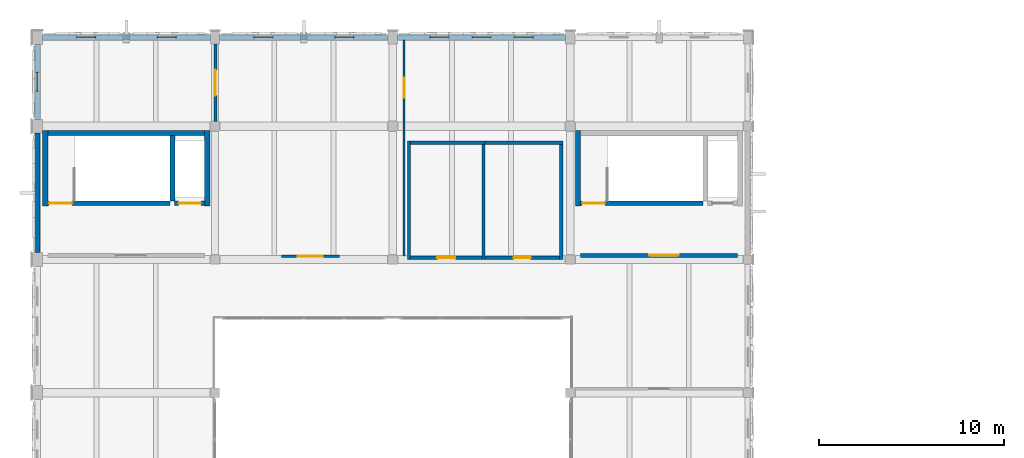
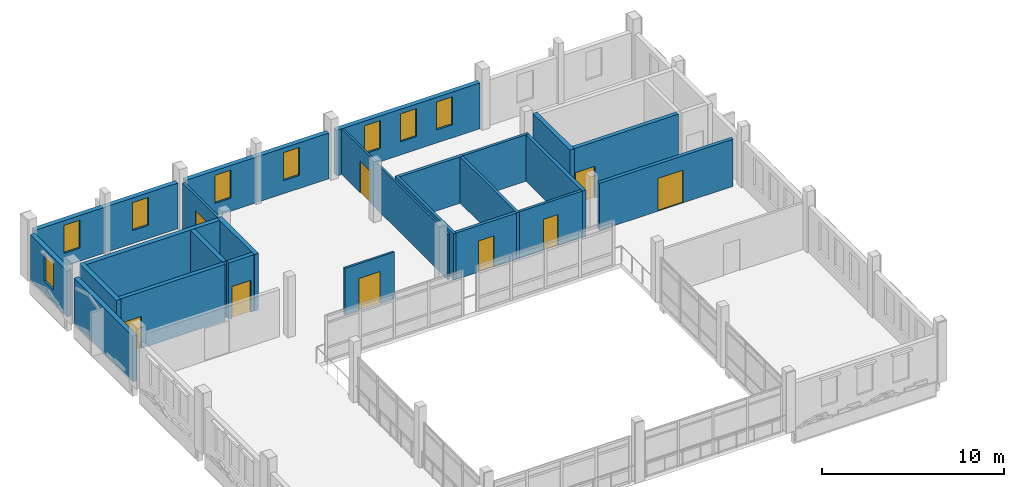
# One storey, part 17 of 24: 24 walls, 9 doors, 8 windows, 17 openings.
"""IFC4 building model written with IfcOpenShell, lengths in metres."""

from ifc_helpers import new_model, si_unit, direction, frame, frame_2d, origin, place, context, subcontext, project, spatial, rectangle, extrude, material, layer, layer_set, type_object, element, fill, save


model = new_model("IFC4")

# Units and contexts
model_context = context("Model", 3, precision=1e-05, world=origin(), true_north=direction((0.0, 1.0)))
body_context = subcontext(model_context, "Body", "Model", "MODEL_VIEW")
ifc_project = project(units=[si_unit("LENGTHUNIT", "METRE"), si_unit("AREAUNIT", "SQUARE_METRE"), si_unit("VOLUMEUNIT", "CUBIC_METRE"), si_unit("PLANEANGLEUNIT", "RADIAN"), si_unit("MASSUNIT", "GRAM", prefix="KILO")], contexts=[model_context])

# Site, building, storey
site_placement = place(None, origin())
site = spatial("IfcSite", under=ifc_project, at=site_placement, CompositionType="ELEMENT")
building_placement = place(site_placement, origin())
building = spatial("IfcBuilding", under=site, at=building_placement, Name="Asteropetra Specialist Clinic", CompositionType="ELEMENT")
storey_placement = place(building_placement, frame((0.0, 0.0, 20.739990234375)))
storey = spatial("IfcBuildingStorey", under=building, at=storey_placement, Name="L05", CompositionType="ELEMENT", Elevation=20.739990234375)

# Wall, openings, windows
ifc_material_1 = material(Name="Chevron ivory", Category="masonry")
ifc_layer_1 = layer(ifc_material_1, 0.2900390625)
ifc_layer_set_1 = layer_set([ifc_layer_1], Name="Chevron ivory")
wall_type_1 = type_object("IfcWallType", Name="EW-CHEV-TER-290", PredefinedType="SOLIDWALL", material=ifc_layer_set_1)
wall_1_placement = place(storey_placement, frame((9.35009765625, 110.39990234375, 0.0), z_axis=(0.0, 0.0, 1.0), x_axis=(-1.0, 0.0, 0.0)))
wall_1 = element("IfcWall", 1, at=wall_1_placement, inside=storey, type_object=wall_type_1, Name="Exterior Wall EW-0144", PredefinedType="SOLIDWALL", context=body_context, shape_type="SweptSolid", body=[
    extrude(rectangle(XDim=9.0751953125, YDim=0.2900390625, at=frame_2d((4.53759765625, 0.0))), origin(), (0.0, 0.0, 1.0), 3.070068359375),
])
opening_1_placement = place(wall_1_placement, frame((1.849609375, 0.0, 0.8798828125)))
opening_1 = element("IfcOpeningElement", 2, at=opening_1_placement, cuts=wall_1, Name="Opening W-0090", PredefinedType="OPENING", context=body_context, shape_type="SweptSolid", body=[
    extrude(rectangle(XDim=1.02001953125, YDim=1.8798828125, at=frame_2d((0.510009765625, 0.93994140625))), frame((0.0, 0.155029296875, 0.0), z_axis=(0.0, -1.0, 0.0), x_axis=(1.0, 0.0, 0.0)), (0.0, 0.0, 1.0), 0.31005859375),
])
opening_2_placement = place(wall_1_placement, frame((6.20556640625, 0.0, 0.8798828125)))
opening_2 = element("IfcOpeningElement", 3, at=opening_2_placement, cuts=wall_1, Name="Opening W-0091", PredefinedType="OPENING", context=body_context, shape_type="SweptSolid", body=[
    extrude(rectangle(XDim=1.02001953125, YDim=1.8798828125, at=frame_2d((0.510009765625, 0.93994140625))), frame((0.0, 0.155029296875, 0.0), z_axis=(0.0, -1.0, 0.0), x_axis=(1.0, 0.0, 0.0)), (0.0, 0.0, 1.0), 0.31005859375),
])
ifc_material_2 = material(Name="Thermally broken bronze aluminium and low-E glass", Category="aluminium")
window_type = type_object("IfcWindowType", Name="WIN-T31", PartitioningType="SINGLE_PANEL", PredefinedType="WINDOW", material=ifc_material_2)
window_1_placement = place(opening_1_placement, origin())
window_1 = element("IfcWindow", 4, at=window_1_placement, inside=storey, type_object=window_type, Name="Window W-0090", OverallHeight=1.8798828125, OverallWidth=1.02001953125, PartitioningType="SINGLE_PANEL", PredefinedType="WINDOW", context=body_context, shape_type="SweptSolid", body=[
    extrude(rectangle(XDim=1.02001953125, YDim=1.8798828125, at=frame_2d((0.510009765625, 0.93994140625))), frame((0.0, 0.030029296875, 0.0), z_axis=(0.0, -1.0, 0.0), x_axis=(1.0, 0.0, 0.0)), (0.0, 0.0, 1.0), 0.06005859375),
])
fill(opening_1, window_1)
window_2_placement = place(opening_2_placement, origin())
window_2 = element("IfcWindow", 5, at=window_2_placement, inside=storey, type_object=window_type, Name="Window W-0091", OverallHeight=1.8798828125, OverallWidth=1.02001953125, PartitioningType="SINGLE_PANEL", PredefinedType="WINDOW", context=body_context, shape_type="SweptSolid", body=[
    extrude(rectangle(XDim=1.02001953125, YDim=1.8798828125, at=frame_2d((0.510009765625, 0.93994140625))), frame((0.0, 0.030029296875, 0.0), z_axis=(0.0, -1.0, 0.0), x_axis=(1.0, 0.0, 0.0)), (0.0, 0.0, 1.0), 0.06005859375),
])
fill(opening_2, window_2)

wall_2_placement = place(storey_placement, frame((18.949951171875, 110.39990234375, 0.0), z_axis=(0.0, 0.0, 1.0), x_axis=(-1.0, 0.0, 0.0)))
wall_2 = element("IfcWall", 6, at=wall_2_placement, inside=storey, type_object=wall_type_1, Name="Exterior Wall EW-0145", PredefinedType="SOLIDWALL", context=body_context, shape_type="SweptSolid", body=[
    extrude(rectangle(XDim=9.099853515625, YDim=0.2900390625, at=frame_2d((4.5498046875, 0.0))), origin(), (0.0, 0.0, 1.0), 3.070068359375),
])
opening_3_placement = place(wall_2_placement, frame((1.85595703125, 0.0, 0.8798828125)))
opening_3 = element("IfcOpeningElement", 7, at=opening_3_placement, cuts=wall_2, Name="Opening W-0092", PredefinedType="OPENING", context=body_context, shape_type="SweptSolid", body=[
    extrude(rectangle(XDim=1.02001953125, YDim=1.8798828125, at=frame_2d((0.510009765625, 0.93994140625))), frame((0.0, 0.155029296875, 0.0), z_axis=(0.0, -1.0, 0.0), x_axis=(1.0, 0.0, 0.0)), (0.0, 0.0, 1.0), 0.31005859375),
])
opening_4_placement = place(wall_2_placement, frame((6.22412109375, 0.0, 0.8798828125)))
opening_4 = element("IfcOpeningElement", 8, at=opening_4_placement, cuts=wall_2, Name="Opening W-0093", PredefinedType="OPENING", context=body_context, shape_type="SweptSolid", body=[
    extrude(rectangle(XDim=1.02001953125, YDim=1.8798828125, at=frame_2d((0.510009765625, 0.93994140625))), frame((0.0, 0.155029296875, 0.0), z_axis=(0.0, -1.0, 0.0), x_axis=(1.0, 0.0, 0.0)), (0.0, 0.0, 1.0), 0.31005859375),
])
window_3_placement = place(opening_3_placement, origin())
window_3 = element("IfcWindow", 9, at=window_3_placement, inside=storey, type_object=window_type, Name="Window W-0092", OverallHeight=1.8798828125, OverallWidth=1.02001953125, PartitioningType="SINGLE_PANEL", PredefinedType="WINDOW", context=body_context, shape_type="SweptSolid", body=[
    extrude(rectangle(XDim=1.02001953125, YDim=1.8798828125, at=frame_2d((0.510009765625, 0.93994140625))), frame((0.0, 0.030029296875, 0.0), z_axis=(0.0, -1.0, 0.0), x_axis=(1.0, 0.0, 0.0)), (0.0, 0.0, 1.0), 0.06005859375),
])
fill(opening_3, window_3)
window_4_placement = place(opening_4_placement, origin())
window_4 = element("IfcWindow", 10, at=window_4_placement, inside=storey, type_object=window_type, Name="Window W-0093", OverallHeight=1.8798828125, OverallWidth=1.02001953125, PartitioningType="SINGLE_PANEL", PredefinedType="WINDOW", context=body_context, shape_type="SweptSolid", body=[
    extrude(rectangle(XDim=1.02001953125, YDim=1.8798828125, at=frame_2d((0.510009765625, 0.93994140625))), frame((0.0, 0.030029296875, 0.0), z_axis=(0.0, -1.0, 0.0), x_axis=(1.0, 0.0, 0.0)), (0.0, 0.0, 1.0), 0.06005859375),
])
fill(opening_4, window_4)

wall_3_placement = place(storey_placement, frame((28.550048828125, 110.39990234375, 0.0), z_axis=(0.0, 0.0, 1.0), x_axis=(-1.0, 0.0, 0.0)))
wall_3 = element("IfcWall", 11, at=wall_3_placement, inside=storey, type_object=wall_type_1, Name="Exterior Wall EW-0146", PredefinedType="SOLIDWALL", context=body_context, shape_type="SweptSolid", body=[
    extrude(rectangle(XDim=9.10009765625, YDim=0.2900390625, at=frame_2d((4.550048828125, 0.0))), origin(), (0.0, 0.0, 1.0), 3.070068359375),
])
opening_5_placement = place(wall_3_placement, frame((1.764892578125, 0.0, 0.8798828125)))
opening_5 = element("IfcOpeningElement", 12, at=opening_5_placement, cuts=wall_3, Name="Opening W-0094", PredefinedType="OPENING", context=body_context, shape_type="SweptSolid", body=[
    extrude(rectangle(XDim=1.02001953125, YDim=1.8798828125, at=frame_2d((0.510009765625, 0.93994140625))), frame((0.0, 0.155029296875, 0.0), z_axis=(0.0, -1.0, 0.0), x_axis=(1.0, 0.0, 0.0)), (0.0, 0.0, 1.0), 0.31005859375),
])
opening_6_placement = place(wall_3_placement, frame((4.0400390625, 0.0, 0.8798828125)))
opening_6 = element("IfcOpeningElement", 13, at=opening_6_placement, cuts=wall_3, Name="Opening W-0095", PredefinedType="OPENING", context=body_context, shape_type="SweptSolid", body=[
    extrude(rectangle(XDim=1.02001953125, YDim=1.8798828125, at=frame_2d((0.510009765625, 0.93994140625))), frame((0.0, 0.155029296875, 0.0), z_axis=(0.0, -1.0, 0.0), x_axis=(1.0, 0.0, 0.0)), (0.0, 0.0, 1.0), 0.31005859375),
])
opening_7_placement = place(wall_3_placement, frame((6.31494140625, 0.0, 0.8798828125)))
opening_7 = element("IfcOpeningElement", 14, at=opening_7_placement, cuts=wall_3, Name="Opening W-0096", PredefinedType="OPENING", context=body_context, shape_type="SweptSolid", body=[
    extrude(rectangle(XDim=1.02001953125, YDim=1.8798828125, at=frame_2d((0.510009765625, 0.93994140625))), frame((0.0, 0.155029296875, 0.0), z_axis=(0.0, -1.0, 0.0), x_axis=(1.0, 0.0, 0.0)), (0.0, 0.0, 1.0), 0.31005859375),
])
window_5_placement = place(opening_5_placement, origin())
window_5 = element("IfcWindow", 15, at=window_5_placement, inside=storey, type_object=window_type, Name="Window W-0094", OverallHeight=1.8798828125, OverallWidth=1.02001953125, PartitioningType="SINGLE_PANEL", PredefinedType="WINDOW", context=body_context, shape_type="SweptSolid", body=[
    extrude(rectangle(XDim=1.02001953125, YDim=1.8798828125, at=frame_2d((0.510009765625, 0.93994140625))), frame((0.0, 0.030029296875, 0.0), z_axis=(0.0, -1.0, 0.0), x_axis=(1.0, 0.0, 0.0)), (0.0, 0.0, 1.0), 0.06005859375),
])
fill(opening_5, window_5)
window_6_placement = place(opening_6_placement, origin())
window_6 = element("IfcWindow", 16, at=window_6_placement, inside=storey, type_object=window_type, Name="Window W-0095", OverallHeight=1.8798828125, OverallWidth=1.02001953125, PartitioningType="SINGLE_PANEL", PredefinedType="WINDOW", context=body_context, shape_type="SweptSolid", body=[
    extrude(rectangle(XDim=1.02001953125, YDim=1.8798828125, at=frame_2d((0.510009765625, 0.93994140625))), frame((0.0, 0.030029296875, 0.0), z_axis=(0.0, -1.0, 0.0), x_axis=(1.0, 0.0, 0.0)), (0.0, 0.0, 1.0), 0.06005859375),
])
fill(opening_6, window_6)
window_7_placement = place(opening_7_placement, origin())
window_7 = element("IfcWindow", 17, at=window_7_placement, inside=storey, type_object=window_type, Name="Window W-0096", OverallHeight=1.8798828125, OverallWidth=1.02001953125, PartitioningType="SINGLE_PANEL", PredefinedType="WINDOW", context=body_context, shape_type="SweptSolid", body=[
    extrude(rectangle(XDim=1.02001953125, YDim=1.8798828125, at=frame_2d((0.510009765625, 0.93994140625))), frame((0.0, 0.030029296875, 0.0), z_axis=(0.0, -1.0, 0.0), x_axis=(1.0, 0.0, 0.0)), (0.0, 0.0, 1.0), 0.06005859375),
])
fill(opening_7, window_7)

# Wall
wall_4_placement = place(storey_placement, frame((0.0, 105.22509765625, 0.0), z_axis=(0.0, 0.0, 1.0), x_axis=(0.0, -1.0, 0.0)))
element("IfcWall", 18, at=wall_4_placement, inside=storey, type_object=wall_type_1, Name="Exterior Wall EW-0155", PredefinedType="SOLIDWALL", context=body_context, shape_type="SweptSolid", body=[
    extrude(rectangle(XDim=6.4501953125, YDim=0.2900390625, at=frame_2d((3.22509765625, 0.0))), origin(), (0.0, 0.0, 1.0), 3.070068359375),
])

# Wall, opening, window
wall_5_placement = place(storey_placement, frame((0.0, 110.02490234375, 0.0), z_axis=(0.0, 0.0, 1.0), x_axis=(0.0, -1.0, 0.0)))
wall_5 = element("IfcWall", 19, at=wall_5_placement, inside=storey, type_object=wall_type_1, Name="Exterior Wall EW-0157", PredefinedType="SOLIDWALL", context=body_context, shape_type="SweptSolid", body=[
    extrude(rectangle(XDim=4.0498046875, YDim=0.2900390625, at=frame_2d((2.02490234375, 0.0))), origin(), (0.0, 0.0, 1.0), 3.070068359375),
])
opening_8_placement = place(wall_5_placement, frame((1.514892578125, 0.0, 0.8798828125)))
opening_8 = element("IfcOpeningElement", 20, at=opening_8_placement, cuts=wall_5, Name="Opening W-0120", PredefinedType="OPENING", context=body_context, shape_type="SweptSolid", body=[
    extrude(rectangle(XDim=1.02001953125, YDim=1.8798828125, at=frame_2d((0.510009765625, 0.93994140625))), frame((0.0, 0.155029296875, 0.0), z_axis=(0.0, -1.0, 0.0), x_axis=(1.0, 0.0, 0.0)), (0.0, 0.0, 1.0), 0.31005859375),
])
window_8_placement = place(opening_8_placement, origin())
window_8 = element("IfcWindow", 21, at=window_8_placement, inside=storey, type_object=window_type, Name="Window W-0120", OverallHeight=1.8798828125, OverallWidth=1.02001953125, PartitioningType="SINGLE_PANEL", PredefinedType="WINDOW", context=body_context, shape_type="SweptSolid", body=[
    extrude(rectangle(XDim=1.02001953125, YDim=1.8798828125, at=frame_2d((0.510009765625, 0.93994140625))), frame((0.0, 0.030029296875, 0.0), z_axis=(0.0, -1.0, 0.0), x_axis=(1.0, 0.0, 0.0)), (0.0, 0.0, 1.0), 0.06005859375),
])
fill(opening_8, window_8)

# Wall, opening, door
ifc_material_3 = material(Name="Fire-rated masonry and gypsum", Category="masonry")
ifc_layer_2 = layer(ifc_material_3, 0.219970703125)
ifc_layer_set_2 = layer_set([ifc_layer_2], Name="Fire-rated masonry and gypsum")
wall_type_2 = type_object("IfcWallType", Name="W-COMP-220", PredefinedType="PARTITIONING", material=ifc_layer_set_2)
wall_6_placement = place(storey_placement, frame((29.360107421875, 98.6201171875, 0.0), z_axis=(0.0, 0.0, 1.0), x_axis=(1.0, 0.0, 0.0)))
wall_6 = element("IfcWall", 22, at=wall_6_placement, inside=storey, type_object=wall_type_2, Name="Core Wall CW-C2-L05-LOB", PredefinedType="PARTITIONING", context=body_context, shape_type="SweptSolid", body=[
    extrude(rectangle(XDim=8.47998046875, YDim=0.219970703125, at=frame_2d((4.239990234375, 0.0))), origin(), (0.0, 0.0, 1.0), 3.169921875),
])
opening_9_placement = place(wall_6_placement, frame((3.699951171875, 0.0, 0.0)))
opening_9 = element("IfcOpeningElement", 23, at=opening_9_placement, cuts=wall_6, Name="Opening FD-024", PredefinedType="OPENING", context=body_context, shape_type="SweptSolid", body=[
    extrude(rectangle(XDim=1.60009765625, YDim=2.199951171875, at=frame_2d((0.800048828125, 1.10009765625))), frame((0.0, 0.119873046875, 0.0), z_axis=(0.0, -1.0, 0.0), x_axis=(1.0, 0.0, 0.0)), (0.0, 0.0, 1.0), 0.239990234375),
])
ifc_material_4 = material(Name="Fire-rated steel and vision glass door", Category="steel")
door_type_1 = type_object("IfcDoorType", Name="FD-LOBBY-1600", OperationType="DOUBLE_DOOR_SINGLE_SWING", PredefinedType="DOOR", material=ifc_material_4)
door_1_placement = place(opening_9_placement, origin())
door_1 = element("IfcDoor", 24, at=door_1_placement, inside=storey, type_object=door_type_1, Name="Lobby Fire Door FD-024", OperationType="DOUBLE_DOOR_SINGLE_SWING", OverallHeight=2.199951171875, OverallWidth=1.60009765625, PredefinedType="DOOR", context=body_context, shape_type="SweptSolid", body=[
    extrude(rectangle(XDim=1.60009765625, YDim=2.199951171875, at=frame_2d((0.800048828125, 1.10009765625))), frame((0.0, 0.02490234375, 0.0), z_axis=(0.0, -1.0, 0.0), x_axis=(1.0, 0.0, 0.0)), (0.0, 0.0, 1.0), 0.050048828125),
])
fill(opening_9, door_1)

# Walls
ifc_material_5 = material(Name="Concrete C35/45", Category="concrete")
ifc_layer_3 = layer(ifc_material_5, 0.280029296875)
ifc_layer_set_3 = layer_set([ifc_layer_3], Name="Concrete C35/45")
wall_type_3 = type_object("IfcWallType", Name="W-CORE-280", PredefinedType="SHEAR", material=ifc_layer_set_3)
for number, where, z_axis, x_axis, name in (
    (25, (0.419921875, 101.300048828125, 0.0), (0.0, 0.0, 1.0), (0.0, 1.0, 0.0), "Core Wall CW-C1-L05-W"),
    (26, (9.179931640625, 101.300048828125, 0.0), (0.0, 0.0, 1.0), (0.0, 1.0, 0.0), "Core Wall CW-C1-L05-E"),
):
    element("IfcWall", number, at=place(storey_placement, frame(where, z_axis=z_axis, x_axis=x_axis)), inside=storey, type_object=wall_type_3, Name=name, PredefinedType="SHEAR", context=body_context, shape_type="SweptSolid", body=[
        extrude(rectangle(XDim=4.079833984375, YDim=0.280029296875, at=frame_2d((2.0400390625, 0.0))), origin(), (0.0, 0.0, 1.0), 3.800048828125),
    ])
wall_7_placement = place(storey_placement, frame((0.554931640625, 105.239990234375, 0.0), z_axis=(0.0, 0.0, 1.0), x_axis=(1.0, 0.0, 0.0)))
element("IfcWall", 27, at=wall_7_placement, inside=storey, type_object=wall_type_3, Name="Core Wall CW-C1-L05-BACK", PredefinedType="SHEAR", context=body_context, shape_type="SweptSolid", body=[
    extrude(rectangle(XDim=8.489990234375, YDim=0.280029296875, at=frame_2d((4.2451171875, 0.0))), origin(), (0.0, 0.0, 1.0), 3.800048828125),
])
wall_8_placement = place(storey_placement, frame((29.219970703125, 101.300048828125, 0.0), z_axis=(0.0, 0.0, 1.0), x_axis=(0.0, 1.0, 0.0)))
element("IfcWall", 28, at=wall_8_placement, inside=storey, type_object=wall_type_3, Name="Core Wall CW-C2-L05-W", PredefinedType="SHEAR", context=body_context, shape_type="SweptSolid", body=[
    extrude(rectangle(XDim=4.079833984375, YDim=0.280029296875, at=frame_2d((2.0400390625, 0.0))), origin(), (0.0, 0.0, 1.0), 3.800048828125),
])

# Wall, opening, door
ifc_material_6 = material(Name="Light partition", Category="masonry")
ifc_layer_4 = layer(ifc_material_6, 0.1201171875)
ifc_layer_set_4 = layer_set([ifc_layer_4], Name="Light partition")
wall_type_4 = type_object("IfcWallType", Name="W-PART-120", PredefinedType="PARTITIONING", material=ifc_layer_set_4)
wall_9_placement = place(storey_placement, frame((19.820068359375, 98.592041015625, 0.0), z_axis=(0.0, 0.0, 1.0), x_axis=(0.0, 1.0, 0.0)))
wall_9 = element("IfcWall", 29, at=wall_9_placement, inside=storey, type_object=wall_type_4, Name="Interior Partition PW-0184", PredefinedType="PARTITIONING", context=body_context, shape_type="SweptSolid", body=[
    extrude(rectangle(XDim=11.660888671875, YDim=0.1201171875, at=frame_2d((5.83056640625, 0.0))), origin(), (0.0, 0.0, 1.0), 3.070068359375),
])
opening_10_placement = place(wall_9_placement, frame((8.5556640625, 0.0, 0.0)))
opening_10 = element("IfcOpeningElement", 30, at=opening_10_placement, cuts=wall_9, Name="Opening ID-0119", PredefinedType="OPENING", context=body_context, shape_type="SweptSolid", body=[
    extrude(rectangle(XDim=1.080078125, YDim=2.10009765625, at=frame_2d((0.5400390625, 1.050048828125))), frame((0.0, 0.070068359375, 0.0), z_axis=(0.0, -1.0, 0.0), x_axis=(1.0, 0.0, 0.0)), (0.0, 0.0, 1.0), 0.14013671875),
])
ifc_material_7 = material(Name="Antimicrobial laminate timber leaf in steel frame", Category="steel")
door_type_2 = type_object("IfcDoorType", Name="ID-EXAM-1080", OperationType="SINGLE_SWING_LEFT", PredefinedType="DOOR", material=ifc_material_7)
door_2_placement = place(opening_10_placement, origin())
door_2 = element("IfcDoor", 31, at=door_2_placement, inside=storey, type_object=door_type_2, Name="Interior Door ID-0119", OperationType="SINGLE_SWING_LEFT", OverallHeight=2.10009765625, OverallWidth=1.080078125, PredefinedType="DOOR", context=body_context, shape_type="SweptSolid", body=[
    extrude(rectangle(XDim=1.080078125, YDim=2.10009765625, at=frame_2d((0.5400390625, 1.050048828125))), frame((0.0, 0.02490234375, 0.0), z_axis=(0.0, -1.0, 0.0), x_axis=(1.0, 0.0, 0.0)), (0.0, 0.0, 1.0), 0.050048828125),
])
fill(opening_10, door_2)

ifc_material_8 = material(Name="Office and seminar partition", Category="masonry")
ifc_layer_5 = layer(ifc_material_8, 0.1298828125)
ifc_layer_set_5 = layer_set([ifc_layer_5], Name="Office and seminar partition")
wall_type_5 = type_object("IfcWallType", Name="W-PART-130", PredefinedType="PARTITIONING", material=ifc_layer_set_5)
wall_10_placement = place(storey_placement, frame((13.179931640625, 98.580078125, 0.0), z_axis=(0.0, 0.0, 1.0), x_axis=(1.0, 0.0, 0.0)))
wall_10 = element("IfcWall", 32, at=wall_10_placement, inside=storey, type_object=wall_type_5, Name="Interior Partition PW-0183", PredefinedType="PARTITIONING", context=body_context, shape_type="SweptSolid", body=[
    extrude(rectangle(XDim=3.14013671875, YDim=0.1298828125, at=frame_2d((1.570068359375, 0.0))), origin(), (0.0, 0.0, 1.0), 3.1201171875),
])
opening_11_placement = place(wall_10_placement, frame((0.89501953125, 0.0, 0.0)))
opening_11 = element("IfcOpeningElement", 33, at=opening_11_placement, cuts=wall_10, Name="Opening ID-0118", PredefinedType="OPENING", context=body_context, shape_type="SweptSolid", body=[
    extrude(rectangle(XDim=1.35009765625, YDim=2.1201171875, at=frame_2d((0.675048828125, 1.06005859375))), frame((0.0, 0.074951171875, 0.0), z_axis=(0.0, -1.0, 0.0), x_axis=(1.0, 0.0, 0.0)), (0.0, 0.0, 1.0), 0.14990234375),
])
ifc_material_9 = material(Name="Antimicrobial laminate timber leaf in steel frame", Category="steel")
door_type_3 = type_object("IfcDoorType", Name="ID-LAB-1350", OperationType="NOTDEFINED", PredefinedType="DOOR", material=ifc_material_9)
door_3_placement = place(opening_11_placement, origin())
door_3 = element("IfcDoor", 34, at=door_3_placement, inside=storey, type_object=door_type_3, Name="Interior Door ID-0118", OperationType="SINGLE_SWING_RIGHT", OverallHeight=2.1201171875, OverallWidth=1.35009765625, PredefinedType="DOOR", context=body_context, shape_type="SweptSolid", body=[
    extrude(rectangle(XDim=1.35009765625, YDim=2.1201171875, at=frame_2d((0.675048828125, 1.06005859375))), frame((0.0, 0.02490234375, 0.0), z_axis=(0.0, -1.0, 0.0), x_axis=(1.0, 0.0, 0.0)), (0.0, 0.0, 1.0), 0.050048828125),
])
fill(opening_11, door_3)

ifc_material_10 = material(Name="Acoustic clinical stud partition", Category="masonry")
ifc_layer_6 = layer(ifc_material_10, 0.159912109375)
ifc_layer_set_6 = layer_set([ifc_layer_6], Name="Acoustic clinical stud partition")
wall_type_6 = type_object("IfcWallType", Name="W-PART-160", PredefinedType="PARTITIONING", material=ifc_layer_set_6)
wall_11_placement = place(storey_placement, frame((9.6201171875, 105.85498046875, 0.0), z_axis=(0.0, 0.0, 1.0), x_axis=(0.0, 1.0, 0.0)))
wall_11 = element("IfcWall", 35, at=wall_11_placement, inside=storey, type_object=wall_type_6, Name="Interior Partition PW-0185", PredefinedType="PARTITIONING", context=body_context, shape_type="SweptSolid", body=[
    extrude(rectangle(XDim=4.18994140625, YDim=0.159912109375, at=frame_2d((2.094970703125, 0.0))), origin(), (0.0, 0.0, 1.0), 3.1201171875),
])
opening_12_placement = place(wall_11_placement, frame((1.39501953125, 0.0, 0.0)))
opening_12 = element("IfcOpeningElement", 36, at=opening_12_placement, cuts=wall_11, Name="Opening ID-0120", PredefinedType="OPENING", context=body_context, shape_type="SweptSolid", body=[
    extrude(rectangle(XDim=1.39990234375, YDim=2.1201171875, at=frame_2d((0.699951171875, 1.06005859375))), frame((0.0, 0.08984375, 0.0), z_axis=(0.0, -1.0, 0.0), x_axis=(1.0, 0.0, 0.0)), (0.0, 0.0, 1.0), 0.179931640625),
])
ifc_material_11 = material(Name="Antimicrobial laminate timber leaf in steel frame", Category="steel")
door_type_4 = type_object("IfcDoorType", Name="ID-WARD-1400", OperationType="NOTDEFINED", PredefinedType="DOOR", material=ifc_material_11)
door_4_placement = place(opening_12_placement, origin())
door_4 = element("IfcDoor", 37, at=door_4_placement, inside=storey, type_object=door_type_4, Name="Interior Door ID-0120", OperationType="SINGLE_SWING_RIGHT", OverallHeight=2.1201171875, OverallWidth=1.39990234375, PredefinedType="DOOR", context=body_context, shape_type="SweptSolid", body=[
    extrude(rectangle(XDim=1.39990234375, YDim=2.1201171875, at=frame_2d((0.699951171875, 1.06005859375))), frame((0.0, 0.02490234375, 0.0), z_axis=(0.0, -1.0, 0.0), x_axis=(1.0, 0.0, 0.0)), (0.0, 0.0, 1.0), 0.050048828125),
])
fill(opening_12, door_4)

# Walls
ifc_material_12 = material(Name="En-suite plumbing wall", Category="masonry")
ifc_layer_7 = layer(ifc_material_12, 0.169921875)
ifc_layer_set_7 = layer_set([ifc_layer_7], Name="En-suite plumbing wall")
wall_type_7 = type_object("IfcWallType", Name="W-PLUMB-170", PredefinedType="PLUMBINGWALL", material=ifc_layer_set_7)
for number, where, z_axis, x_axis, name in (
    (38, (20.090087890625, 98.39501953125, 0.0), (0.0, 0.0, 1.0), (0.0, 1.0, 0.0), "Interior Partition PW-0175"),
    (39, (24.110107421875, 98.39501953125, 0.0), (0.0, 0.0, 1.0), (0.0, 1.0, 0.0), "Interior Partition PW-0177"),
):
    element("IfcWall", number, at=place(storey_placement, frame(where, z_axis=z_axis, x_axis=x_axis)), inside=storey, type_object=wall_type_7, Name=name, PredefinedType="PLUMBINGWALL", context=body_context, shape_type="SweptSolid", body=[
        extrude(rectangle(XDim=6.409912109375, YDim=0.169921875, at=frame_2d((3.205078125, 0.0))), origin(), (0.0, 0.0, 1.0), 3.1201171875),
    ])
wall_12_placement = place(storey_placement, frame((24.197021484375, 104.7099609375, 0.0), z_axis=(0.0, 0.0, 1.0), x_axis=(1.0, 0.0, 0.0)))
element("IfcWall", 40, at=wall_12_placement, inside=storey, type_object=wall_type_7, Name="Interior Partition PW-0179", PredefinedType="PLUMBINGWALL", context=body_context, shape_type="SweptSolid", body=[
    extrude(rectangle(XDim=4.2080078125, YDim=0.169921875, at=frame_2d((2.10400390625, 0.0))), origin(), (0.0, 0.0, 1.0), 3.1201171875),
])

# Wall, opening, door
wall_13_placement = place(storey_placement, frame((24.197021484375, 98.489990234375, 0.0), z_axis=(0.0, 0.0, 1.0), x_axis=(1.0, 0.0, 0.0)))
wall_13 = element("IfcWall", 41, at=wall_13_placement, inside=storey, type_object=wall_type_7, Name="Interior Partition PW-0181", PredefinedType="PLUMBINGWALL", context=body_context, shape_type="SweptSolid", body=[
    extrude(rectangle(XDim=4.010986328125, YDim=0.169921875, at=frame_2d((2.00537109375, 0.0))), origin(), (0.0, 0.0, 1.0), 3.1201171875),
])
opening_13_placement = place(wall_13_placement, frame((1.54541015625, 0.0, 0.0)))
opening_13 = element("IfcOpeningElement", 42, at=opening_13_placement, cuts=wall_13, Name="Opening ID-0116", PredefinedType="OPENING", context=body_context, shape_type="SweptSolid", body=[
    extrude(rectangle(XDim=0.919921875, YDim=2.080078125, at=frame_2d((0.4599609375, 1.0400390625))), frame((0.0, 0.094970703125, 0.0), z_axis=(0.0, -1.0, 0.0), x_axis=(1.0, 0.0, 0.0)), (0.0, 0.0, 1.0), 0.18994140625),
])
ifc_material_13 = material(Name="Antimicrobial laminate timber leaf in steel frame", Category="steel")
door_type_5 = type_object("IfcDoorType", Name="ID-WC-0920", OperationType="NOTDEFINED", PredefinedType="DOOR", material=ifc_material_13)
door_5_placement = place(opening_13_placement, origin())
door_5 = element("IfcDoor", 43, at=door_5_placement, inside=storey, type_object=door_type_5, Name="Interior Door ID-0116", OperationType="SINGLE_SWING_LEFT", OverallHeight=2.080078125, OverallWidth=0.919921875, PredefinedType="DOOR", context=body_context, shape_type="SweptSolid", body=[
    extrude(rectangle(XDim=0.919921875, YDim=2.080078125, at=frame_2d((0.4599609375, 1.0400390625))), frame((0.0, 0.02490234375, 0.0), z_axis=(0.0, -1.0, 0.0), x_axis=(1.0, 0.0, 0.0)), (0.0, 0.0, 1.0), 0.050048828125),
])
fill(opening_13, door_5)

# Wall
ifc_material_14 = material(Name="Sanitary service-chase wall", Category="masonry")
ifc_layer_8 = layer(ifc_material_14, 0.199951171875)
ifc_layer_set_8 = layer_set([ifc_layer_8], Name="Sanitary service-chase wall")
wall_type_8 = type_object("IfcWallType", Name="W-PLUMB-200", PredefinedType="PLUMBINGWALL", material=ifc_layer_set_8)
wall_14_placement = place(storey_placement, frame((20.177001953125, 104.7099609375, 0.0), z_axis=(0.0, 0.0, 1.0), x_axis=(1.0, 0.0, 0.0)))
element("IfcWall", 44, at=wall_14_placement, inside=storey, type_object=wall_type_8, Name="Interior Partition PW-0176", PredefinedType="PLUMBINGWALL", context=body_context, shape_type="SweptSolid", body=[
    extrude(rectangle(XDim=4.028076171875, YDim=0.199951171875, at=frame_2d((2.01416015625, 0.0))), origin(), (0.0, 0.0, 1.0), 3.1201171875),
])

# Wall, opening, door
wall_15_placement = place(storey_placement, frame((20.177001953125, 98.489990234375, 0.0), z_axis=(0.0, 0.0, 1.0), x_axis=(1.0, 0.0, 0.0)))
wall_15 = element("IfcWall", 45, at=wall_15_placement, inside=storey, type_object=wall_type_8, Name="Interior Partition PW-0178", PredefinedType="PLUMBINGWALL", context=body_context, shape_type="SweptSolid", body=[
    extrude(rectangle(XDim=3.845947265625, YDim=0.199951171875, at=frame_2d((1.9228515625, 0.0))), origin(), (0.0, 0.0, 1.0), 3.1201171875),
])
opening_14_placement = place(wall_15_placement, frame((1.43310546875, 0.0, 0.0)))
opening_14 = element("IfcOpeningElement", 46, at=opening_14_placement, cuts=wall_15, Name="Opening ID-0115", PredefinedType="OPENING", context=body_context, shape_type="SweptSolid", body=[
    extrude(rectangle(XDim=0.97998046875, YDim=2.080078125, at=frame_2d((0.489990234375, 1.0400390625))), frame((0.0, 0.10986328125, 0.0), z_axis=(0.0, -1.0, 0.0), x_axis=(1.0, 0.0, 0.0)), (0.0, 0.0, 1.0), 0.219970703125),
])
ifc_material_15 = material(Name="Antimicrobial laminate timber leaf in steel frame", Category="steel")
door_type_6 = type_object("IfcDoorType", Name="ID-AWC-0980", OperationType="NOTDEFINED", PredefinedType="DOOR", material=ifc_material_15)
door_6_placement = place(opening_14_placement, origin())
door_6 = element("IfcDoor", 47, at=door_6_placement, inside=storey, type_object=door_type_6, Name="Interior Door ID-0115", OperationType="SINGLE_SWING_RIGHT", OverallHeight=2.080078125, OverallWidth=0.97998046875, PredefinedType="DOOR", context=body_context, shape_type="SweptSolid", body=[
    extrude(rectangle(XDim=0.97998046875, YDim=2.080078125, at=frame_2d((0.489990234375, 1.0400390625))), frame((0.0, 0.02490234375, 0.0), z_axis=(0.0, -1.0, 0.0), x_axis=(1.0, 0.0, 0.0)), (0.0, 0.0, 1.0), 0.050048828125),
])
fill(opening_14, door_6)

# Walls
wall_16_placement = place(storey_placement, frame((28.31005859375, 98.39501953125, 0.0), z_axis=(0.0, 0.0, 1.0), x_axis=(0.0, 1.0, 0.0)))
element("IfcWall", 48, at=wall_16_placement, inside=storey, type_object=wall_type_8, Name="Interior Partition PW-0180", PredefinedType="PLUMBINGWALL", context=body_context, shape_type="SweptSolid", body=[
    extrude(rectangle(XDim=6.22802734375, YDim=0.199951171875, at=frame_2d((3.114013671875, 0.0))), origin(), (0.0, 0.0, 1.0), 3.1201171875),
])
ifc_material_16 = material(Name="Concrete C35/45", Category="concrete")
ifc_layer_9 = layer(ifc_material_16, 0.25)
ifc_layer_set_9 = layer_set([ifc_layer_9], Name="Concrete C35/45")
wall_type_9 = type_object("IfcWallType", Name="W-SHAFT-250", PredefinedType="SHEAR", material=ifc_layer_set_9)
wall_17_placement = place(storey_placement, frame((7.300048828125, 101.56005859375, 0.0), z_axis=(0.0, 0.0, 1.0), x_axis=(0.0, 1.0, 0.0)))
element("IfcWall", 49, at=wall_17_placement, inside=storey, type_object=wall_type_9, Name="Core Wall CW-C1-L05-MID", PredefinedType="SHEAR", context=body_context, shape_type="SweptSolid", body=[
    extrude(rectangle(XDim=3.5400390625, YDim=0.25, at=frame_2d((1.77001953125, 0.0))), origin(), (0.0, 0.0, 1.0), 3.800048828125),
])

# Wall, opening, door
wall_18_placement = place(storey_placement, frame((0.554931640625, 101.43994140625, 0.0), z_axis=(0.0, 0.0, 1.0), x_axis=(1.0, 0.0, 0.0)))
wall_18 = element("IfcWall", 50, at=wall_18_placement, inside=storey, type_object=wall_type_9, Name="Core Wall CW-C1-L05-STDIV", PredefinedType="SHEAR", context=body_context, shape_type="SweptSolid", body=[
    extrude(rectangle(XDim=6.625, YDim=0.25, at=frame_2d((3.3125, 0.0))), origin(), (0.0, 0.0, 1.0), 3.800048828125),
])
opening_15_placement = place(wall_18_placement, frame((0.080078125, 0.0, 0.0)))
opening_15 = element("IfcOpeningElement", 51, at=opening_15_placement, cuts=wall_18, Name="Opening FD-011", PredefinedType="OPENING", context=body_context, shape_type="SweptSolid", body=[
    extrude(rectangle(XDim=1.239990234375, YDim=2.14990234375, at=frame_2d((0.6201171875, 1.074951171875))), frame((0.0, 0.135009765625, 0.0), z_axis=(0.0, -1.0, 0.0), x_axis=(1.0, 0.0, 0.0)), (0.0, 0.0, 1.0), 0.27001953125),
])
ifc_material_17 = material(Name="Fire-rated steel and vision glass door", Category="steel")
door_type_7 = type_object("IfcDoorType", Name="FD-STAIR-1400", OperationType="DOUBLE_DOOR_SINGLE_SWING", PredefinedType="DOOR", material=ifc_material_17)
door_7_placement = place(opening_15_placement, origin())
door_7 = element("IfcDoor", 52, at=door_7_placement, inside=storey, type_object=door_type_7, Name="Stair Fire Door FD-011", OperationType="DOUBLE_DOOR_SINGLE_SWING", OverallHeight=2.14990234375, OverallWidth=1.239990234375, PredefinedType="DOOR", context=body_context, shape_type="SweptSolid", body=[
    extrude(rectangle(XDim=1.239990234375, YDim=2.14990234375, at=frame_2d((0.6201171875, 1.074951171875))), frame((0.0, 0.02490234375, 0.0), z_axis=(0.0, -1.0, 0.0), x_axis=(1.0, 0.0, 0.0)), (0.0, 0.0, 1.0), 0.050048828125),
])
fill(opening_15, door_7)

wall_19_placement = place(storey_placement, frame((7.419921875, 101.43994140625, 0.0), z_axis=(0.0, 0.0, 1.0), x_axis=(1.0, 0.0, 0.0)))
wall_19 = element("IfcWall", 53, at=wall_19_placement, inside=storey, type_object=wall_type_9, Name="Lift Shaft Front Wall CW-C1-L05-LFTF", PredefinedType="SHEAR", context=body_context, shape_type="SweptSolid", body=[
    extrude(rectangle(XDim=1.625, YDim=0.25, at=frame_2d((0.8125, 0.0))), origin(), (0.0, 0.0, 1.0), 3.800048828125),
])
opening_16_placement = place(wall_19_placement, frame((0.21240234375, 0.0, 0.0)))
opening_16 = element("IfcOpeningElement", 54, at=opening_16_placement, cuts=wall_19, Name="Opening LD-006", PredefinedType="OPENING", context=body_context, shape_type="SweptSolid", body=[
    extrude(rectangle(XDim=1.199951171875, YDim=2.14990234375, at=frame_2d((0.60009765625, 1.074951171875))), frame((0.0, 0.135009765625, 0.0), z_axis=(0.0, -1.0, 0.0), x_axis=(1.0, 0.0, 0.0)), (0.0, 0.0, 1.0), 0.27001953125),
])
ifc_material_18 = material(Name="Brushed stainless steel sliding lift landing door", Category="steel")
door_type_8 = type_object("IfcDoorType", Name="LD-FF-1200", OperationType="DOUBLE_DOOR_SLIDING", PredefinedType="DOOR", material=ifc_material_18)
door_8_placement = place(opening_16_placement, origin())
door_8 = element("IfcDoor", 55, at=door_8_placement, inside=storey, type_object=door_type_8, Name="Lift Landing Door LD-006", OperationType="DOUBLE_DOOR_SLIDING", OverallHeight=2.14990234375, OverallWidth=1.199951171875, PredefinedType="DOOR", context=body_context, shape_type="SweptSolid", body=[
    extrude(rectangle(XDim=1.199951171875, YDim=2.14990234375, at=frame_2d((0.60009765625, 1.074951171875))), frame((0.0, 0.02490234375, 0.0), z_axis=(0.0, -1.0, 0.0), x_axis=(1.0, 0.0, 0.0)), (0.0, 0.0, 1.0), 0.050048828125),
])
fill(opening_16, door_8)

wall_20_placement = place(storey_placement, frame((29.35498046875, 101.43994140625, 0.0), z_axis=(0.0, 0.0, 1.0), x_axis=(1.0, 0.0, 0.0)))
wall_20 = element("IfcWall", 56, at=wall_20_placement, inside=storey, type_object=wall_type_9, Name="Core Wall CW-C2-L05-STDIV", PredefinedType="SHEAR", context=body_context, shape_type="SweptSolid", body=[
    extrude(rectangle(XDim=6.625, YDim=0.25, at=frame_2d((3.3125, 0.0))), origin(), (0.0, 0.0, 1.0), 3.800048828125),
])
opening_17_placement = place(wall_20_placement, frame((0.080078125, 0.0, 0.0)))
opening_17 = element("IfcOpeningElement", 57, at=opening_17_placement, cuts=wall_20, Name="Opening FD-023", PredefinedType="OPENING", context=body_context, shape_type="SweptSolid", body=[
    extrude(rectangle(XDim=1.239990234375, YDim=2.14990234375, at=frame_2d((0.6201171875, 1.074951171875))), frame((0.0, 0.135009765625, 0.0), z_axis=(0.0, -1.0, 0.0), x_axis=(1.0, 0.0, 0.0)), (0.0, 0.0, 1.0), 0.27001953125),
])
door_9_placement = place(opening_17_placement, origin())
door_9 = element("IfcDoor", 58, at=door_9_placement, inside=storey, type_object=door_type_7, Name="Stair Fire Door FD-023", OperationType="DOUBLE_DOOR_SINGLE_SWING", OverallHeight=2.14990234375, OverallWidth=1.239990234375, PredefinedType="DOOR", context=body_context, shape_type="SweptSolid", body=[
    extrude(rectangle(XDim=1.239990234375, YDim=2.14990234375, at=frame_2d((0.6201171875, 1.074951171875))), frame((0.0, 0.02490234375, 0.0), z_axis=(0.0, -1.0, 0.0), x_axis=(1.0, 0.0, 0.0)), (0.0, 0.0, 1.0), 0.050048828125),
])
fill(opening_17, door_9)

save(model, "model.ifc")
